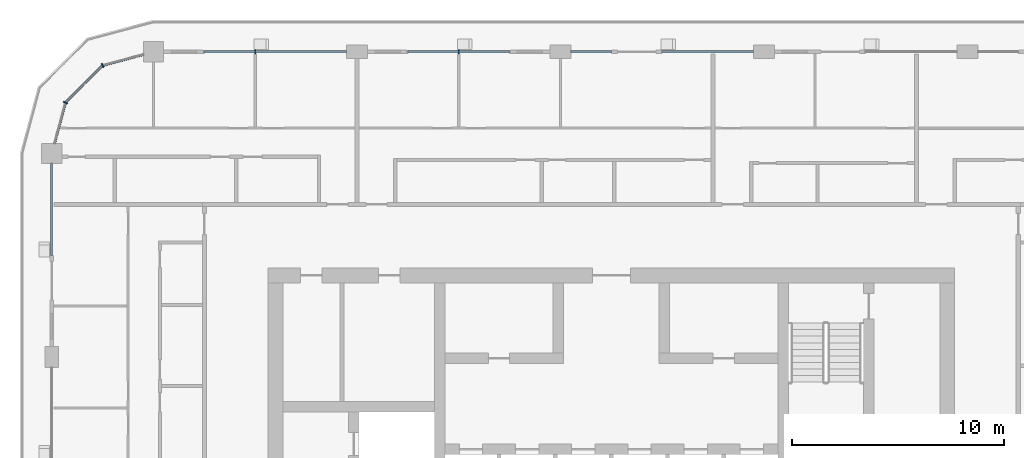
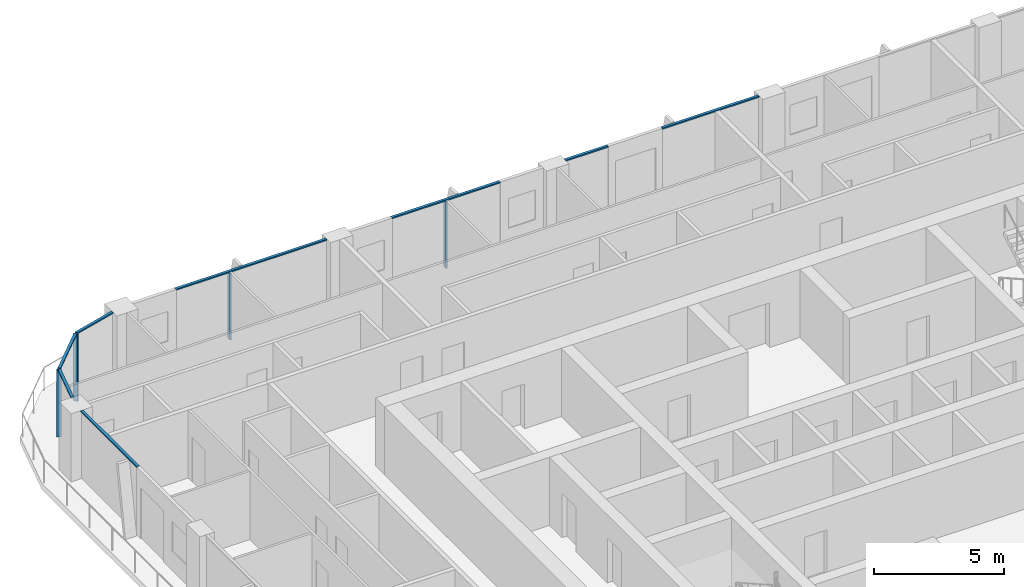
# One storey, part 5 of 21: 12 members, 5 elements without a shape of their own.
"""IFC4 building model written with IfcOpenShell, lengths in metres."""

from ifc_helpers import new_model, si_unit, direction, frame, origin, origin_2d, place, context, subcontext, project, spatial, rectangle, extrude, material, layer, layer_set, material_profile, profile_set, type_object, element, aggregate, save


model = new_model("IFC4")

# Units and contexts
model_context = context("Model", 3, precision=1e-05, world=origin(), true_north=direction((0.0, 1.0)))
body_context = subcontext(model_context, "Body", "Model", "MODEL_VIEW")
ifc_project = project(units=[si_unit("LENGTHUNIT", "METRE"), si_unit("AREAUNIT", "SQUARE_METRE"), si_unit("VOLUMEUNIT", "CUBIC_METRE"), si_unit("PLANEANGLEUNIT", "RADIAN"), si_unit("MASSUNIT", "GRAM", prefix="KILO")], contexts=[model_context])

# Site, building, storey
site_placement = place(None, origin())
site = spatial("IfcSite", under=ifc_project, at=site_placement, CompositionType="ELEMENT")
building_placement = place(site_placement, origin())
building = spatial("IfcBuilding", under=site, at=building_placement, Name="Madar Terraces", CompositionType="ELEMENT")
storey_placement = place(building_placement, frame((0.0, 0.0, 196.39990234375)))
storey = spatial("IfcBuildingStorey", under=building, at=storey_placement, Name="L51", CompositionType="ELEMENT", Elevation=196.39990234375)

# Curtain wall, member
ifc_material_1 = material(Name="Glass, ceramic frit dark grey, with black aluminium frame", Category="aluminium")
ifc_layer = layer(ifc_material_1, 0.199951171875)
ifc_layer_set = layer_set([ifc_layer], Name="Facade curtain wall, fritted glass")
curtain_wall_type = type_object("IfcCurtainWallType", Name="Facade curtain wall, fritted glass", PredefinedType="NOTDEFINED", material=ifc_layer_set)
curtain_wall_1_placement = place(storey_placement, origin())
curtain_wall_1 = element("IfcCurtainWall", 1, at=curtain_wall_1_placement, inside=storey, type_object=curtain_wall_type, Name="Outer skin curtain wall north bay 4", PredefinedType="NOTDEFINED")
ifc_material_2 = material(Name="Aluminium, black anodised", Category="aluminium")
ifc_material_profile_1 = material_profile(ifc_material_2, rectangle(XDim=0.199951171875, YDim=0.06005859375, at=origin_2d()), Name="Facade mullion 60x200")
ifc_profile_set_1 = profile_set([ifc_material_profile_1], Name="Aluminium, black anodised")
member_type_1 = type_object("IfcMemberType", Name="Facade mullion 60x200", PredefinedType="MULLION", material=ifc_profile_set_1)
member_1_placement = place(storey_placement, frame((24.0, 48.0, 0.0), z_axis=(0.0, 0.0, 1.0), x_axis=(0.0, -1.0, 0.0)))
member_1 = element("IfcMember", 2, at=member_1_placement, type_object=member_type_1, Name="Mullion 1", PredefinedType="MULLION", context=body_context, shape_type="SweptSolid", body=[
    extrude(rectangle(XDim=0.199951171875, YDim=0.06005859375, at=origin_2d()), origin(), (0.0, 0.0, 1.0), 3.14013671875),
])

curtain_wall_2_placement = place(storey_placement, origin())
curtain_wall_2 = element("IfcCurtainWall", 3, at=curtain_wall_2_placement, inside=storey, type_object=curtain_wall_type, Name="Outer skin curtain wall north bay 5", PredefinedType="NOTDEFINED")
member_2_placement = place(storey_placement, frame((14.39990234375, 48.0, 0.0), z_axis=(0.0, 0.0, 1.0), x_axis=(0.0, -1.0, 0.0)))
member_2 = element("IfcMember", 4, at=member_2_placement, type_object=member_type_1, Name="Mullion 1", PredefinedType="MULLION", context=body_context, shape_type="SweptSolid", body=[
    extrude(rectangle(XDim=0.199951171875, YDim=0.06005859375, at=origin_2d()), origin(), (0.0, 0.0, 1.0), 3.14013671875),
])

# Curtain wall, members
curtain_wall_3_placement = place(storey_placement, origin())
curtain_wall_3 = element("IfcCurtainWall", 5, at=curtain_wall_3_placement, inside=storey, type_object=curtain_wall_type, Name="Outer skin curtain wall north-west corner", PredefinedType="NOTDEFINED")
member_3_placement = place(storey_placement, frame((7.199951171875, 47.35693359375, 0.0), z_axis=(0.0, 0.0, 1.0), x_axis=(0.499999989586, -0.866025409797, 0.0)))
member_3 = element("IfcMember", 6, at=member_3_placement, type_object=member_type_1, Name="Mullion 1", PredefinedType="MULLION", context=body_context, shape_type="SweptSolid", body=[
    extrude(rectangle(XDim=0.199951171875, YDim=0.06005859375, at=origin_2d()), origin(), (0.0, 0.0, 1.0), 3.14013671875),
])
member_4_placement = place(storey_placement, frame((5.443115234375, 45.60009765625, 0.0), z_axis=(0.0, 0.0, 1.0), x_axis=(0.866025409797, -0.499999989586, 0.0)))
member_4 = element("IfcMember", 7, at=member_4_placement, type_object=member_type_1, Name="Mullion 2", PredefinedType="MULLION", context=body_context, shape_type="SweptSolid", body=[
    extrude(rectangle(XDim=0.199951171875, YDim=0.06005859375, at=origin_2d()), origin(), (0.0, 0.0, 1.0), 3.14013671875),
])

curtain_wall_4_placement = place(storey_placement, origin())
curtain_wall_4 = element("IfcCurtainWall", 8, at=curtain_wall_4_placement, inside=storey, type_object=curtain_wall_type, Name="Outer skin curtain wall north bay 3", PredefinedType="NOTDEFINED")
ifc_material_3 = material(Name="Aluminium, black anodised", Category="aluminium")
ifc_material_profile_2 = material_profile(ifc_material_3, rectangle(XDim=0.1201171875, YDim=0.06005859375, at=origin_2d()), Name="Facade transom 60x120")
ifc_profile_set_2 = profile_set([ifc_material_profile_2], Name="Aluminium, black anodised")
member_type_2 = type_object("IfcMemberType", Name="Facade transom 60x120", PredefinedType="USERDEFINED", material=ifc_profile_set_2)
member_5_placement = place(storey_placement, frame((37.89990234375, 48.0, 3.170166015625), z_axis=(-1.0, 0.0, 0.0), x_axis=(0.0, -1.0, 0.0)))
member_5 = element("IfcMember", 9, at=member_5_placement, type_object=member_type_2, Name="Transom 1", ObjectType="TRANSOM", PredefinedType="USERDEFINED", context=body_context, shape_type="SweptSolid", body=[
    extrude(rectangle(XDim=0.1201171875, YDim=0.06005859375, at=origin_2d()), origin(), (0.0, 0.0, 1.0), 4.2998046875),
])
member_6_placement = place(storey_placement, frame((31.199951171875, 48.0, 3.170166015625), z_axis=(-1.0, 0.0, 0.0), x_axis=(0.0, -1.0, 0.0)))
member_6 = element("IfcMember", 10, at=member_6_placement, type_object=member_type_2, Name="Transom 2", ObjectType="TRANSOM", PredefinedType="USERDEFINED", context=body_context, shape_type="SweptSolid", body=[
    extrude(rectangle(XDim=0.1201171875, YDim=0.06005859375, at=origin_2d()), origin(), (0.0, 0.0, 1.0), 1.89990234375),
])
aggregate(curtain_wall_4, [member_5, member_6])

# Member
member_7_placement = place(storey_placement, frame((26.39990234375, 48.0, 3.170166015625), z_axis=(-1.0, 0.0, 0.0), x_axis=(0.0, -1.0, 0.0)))
member_7 = element("IfcMember", 11, at=member_7_placement, type_object=member_type_2, Name="Transom 1", ObjectType="TRANSOM", PredefinedType="USERDEFINED", context=body_context, shape_type="SweptSolid", body=[
    extrude(rectangle(XDim=0.1201171875, YDim=0.06005859375, at=origin_2d()), origin(), (0.0, 0.0, 1.0), 4.7998046875),
])

aggregate(curtain_wall_1, [member_1, member_7])

member_8_placement = place(storey_placement, frame((18.699951171875, 48.0, 3.170166015625), z_axis=(-1.0, 0.0, 0.0), x_axis=(0.0, -1.0, 0.0)))
member_8 = element("IfcMember", 12, at=member_8_placement, type_object=member_type_2, Name="Transom 1", ObjectType="TRANSOM", PredefinedType="USERDEFINED", context=body_context, shape_type="SweptSolid", body=[
    extrude(rectangle(XDim=0.1201171875, YDim=0.06005859375, at=origin_2d()), origin(), (0.0, 0.0, 1.0), 6.699951171875),
])

aggregate(curtain_wall_2, [member_2, member_8])

# Curtain wall, member
curtain_wall_5_placement = place(storey_placement, origin())
curtain_wall_5 = element("IfcCurtainWall", 13, at=curtain_wall_5_placement, inside=storey, type_object=curtain_wall_type, Name="Outer skin curtain wall west bay 1", PredefinedType="NOTDEFINED")
member_9_placement = place(storey_placement, frame((4.800048828125, 42.72509765625, 3.170166015625), z_axis=(0.0, -1.0, 0.0), x_axis=(1.0, 0.0, 0.0)))
member_9 = element("IfcMember", 14, at=member_9_placement, type_object=member_type_2, Name="Transom 1", ObjectType="TRANSOM", PredefinedType="USERDEFINED", context=body_context, shape_type="SweptSolid", body=[
    extrude(rectangle(XDim=0.1201171875, YDim=0.06005859375, at=origin_2d()), origin(), (0.0, 0.0, 1.0), 4.3251953125),
])
aggregate(curtain_wall_5, [member_9])

# Member
member_10_placement = place(storey_placement, frame((9.125, 47.872802734375, 3.170166015625), z_axis=(-0.96592251241, -0.258831412352, 0.0), x_axis=(0.258831412352, -0.96592251241, 0.0)))
member_10 = element("IfcMember", 15, at=member_10_placement, type_object=member_type_2, Name="Transom 1", ObjectType="TRANSOM", PredefinedType="USERDEFINED", context=body_context, shape_type="SweptSolid", body=[
    extrude(rectangle(XDim=0.1201171875, YDim=0.06005859375, at=origin_2d()), origin(), (0.0, 0.0, 1.0), 1.962890625),
])

member_11_placement = place(storey_placement, frame((7.1787109375, 47.335693359375, 3.170166015625), z_axis=(-0.707056433593, -0.707157125196, 0.0), x_axis=(0.707157125196, -0.707056433593, 0.0)))
member_11 = element("IfcMember", 16, at=member_11_placement, type_object=member_type_2, Name="Transom 2", ObjectType="TRANSOM", PredefinedType="USERDEFINED", context=body_context, shape_type="SweptSolid", body=[
    extrude(rectangle(XDim=0.1201171875, YDim=0.06005859375, at=origin_2d()), origin(), (0.0, 0.0, 1.0), 2.424560546875),
])

member_12_placement = place(storey_placement, frame((5.435302734375, 45.571044921875, 3.170166015625), z_axis=(-0.258831412352, -0.96592251241, 0.0), x_axis=(0.96592251241, -0.258831412352, 0.0)))
member_12 = element("IfcMember", 17, at=member_12_placement, type_object=member_type_2, Name="Transom 3", ObjectType="TRANSOM", PredefinedType="USERDEFINED", context=body_context, shape_type="SweptSolid", body=[
    extrude(rectangle(XDim=0.1201171875, YDim=0.06005859375, at=origin_2d()), origin(), (0.0, 0.0, 1.0), 1.962890625),
])

aggregate(curtain_wall_3, [member_3, member_10, member_4, member_11, member_12])

save(model, "model.ifc")
